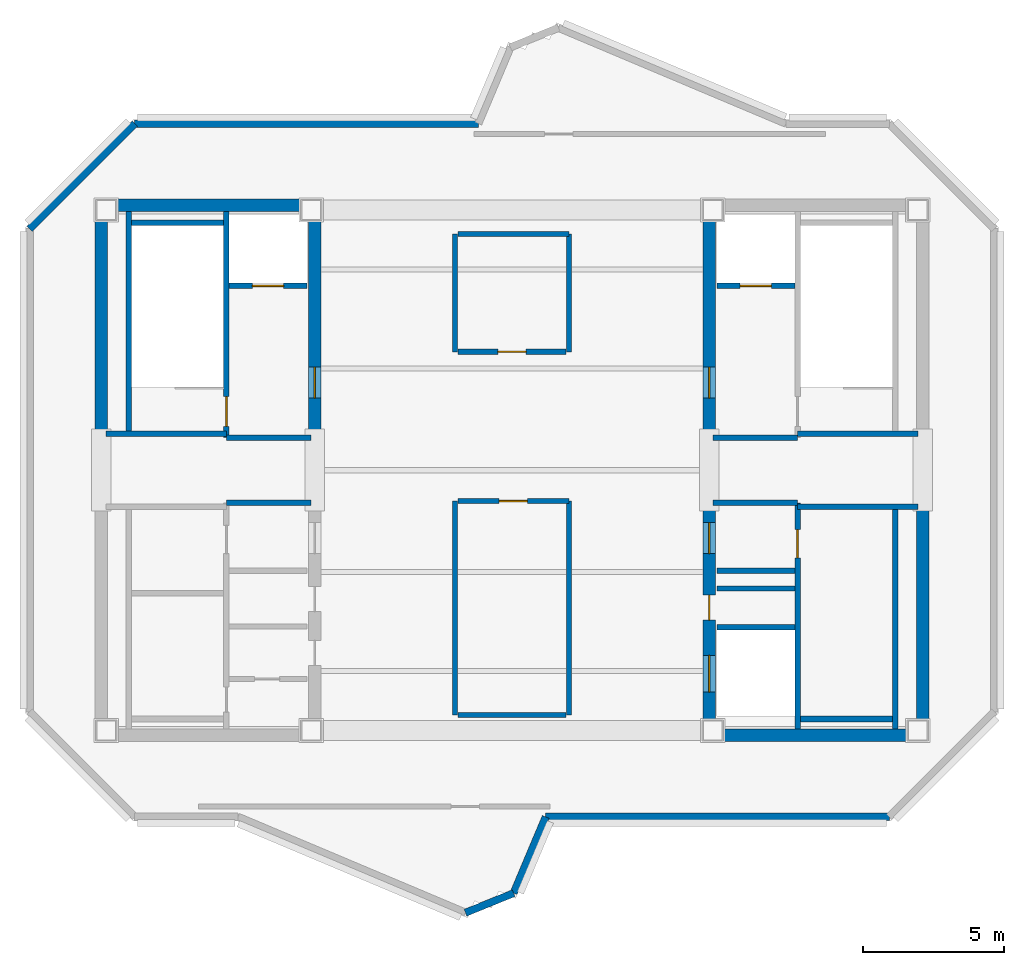
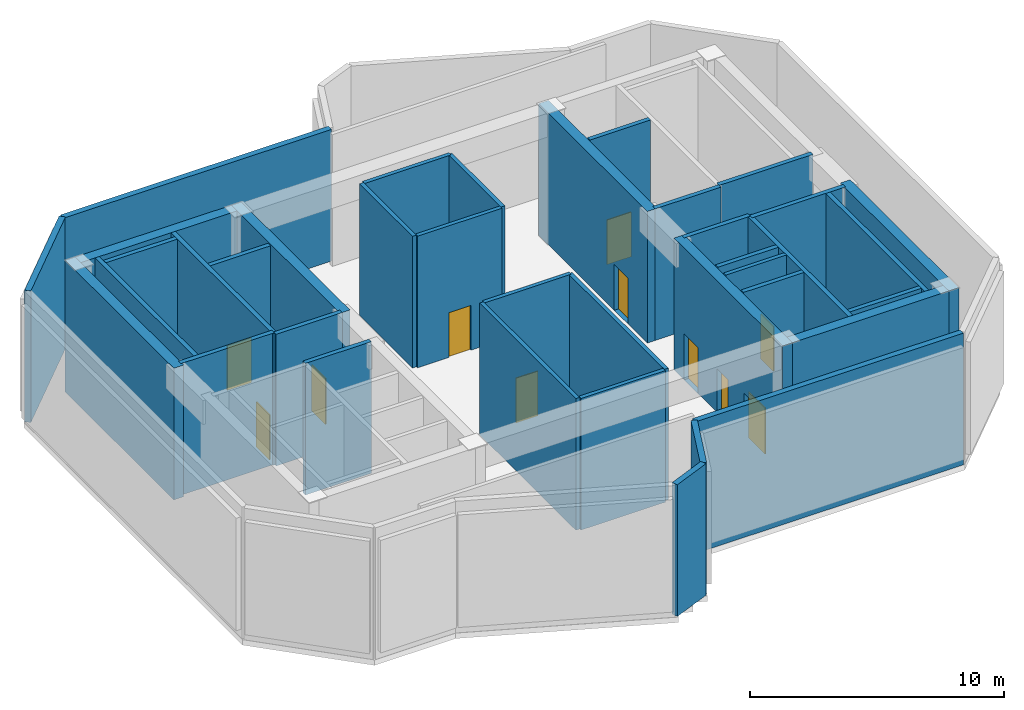
# One storey, part 2 of 4: 38 walls, 11 doors, 11 openings.
"""IFC4 building model written with IfcOpenShell, lengths in metres."""

from ifc_helpers import new_model, si_unit, direction, frame, frame_2d, origin, place, context, subcontext, project, spatial, rectangle, extrude, source, transform, mapped, material, layer, layer_set, type_object, element, fill, save


model = new_model("IFC4")

# Units and contexts
model_context = context("Model", 3, precision=1e-05, world=origin(), true_north=direction((0.0, 1.0)))
body_context = subcontext(model_context, "Body", "Model", "MODEL_VIEW")
ifc_project = project(units=[si_unit("LENGTHUNIT", "METRE"), si_unit("AREAUNIT", "SQUARE_METRE"), si_unit("VOLUMEUNIT", "CUBIC_METRE"), si_unit("PLANEANGLEUNIT", "RADIAN"), si_unit("MASSUNIT", "GRAM", prefix="KILO")], contexts=[model_context])

# Site, building, storey
site_placement = place(None, origin())
site = spatial("IfcSite", under=ifc_project, at=site_placement, CompositionType="ELEMENT")
building_placement = place(site_placement, origin())
building = spatial("IfcBuilding", under=site, at=building_placement, Name="Zahravan Cultural Tower", CompositionType="ELEMENT")
storey_placement = place(building_placement, frame((0.0, 0.0, 388.050048828125)))
storey = spatial("IfcBuildingStorey", under=building, at=storey_placement, Name="RF", CompositionType="ELEMENT", Elevation=388.050048828125)

# Wall, opening, door
ifc_material_1 = material(Name="Concrete C50/60", Category="concrete")
ifc_layer_1 = layer(ifc_material_1, 0.449951171875)
ifc_layer_set_1 = layer_set([ifc_layer_1], Name="Concrete C50/60")
wall_type_1 = type_object("IfcWallType", Name="CW-SHEAR-450-C50", PredefinedType="SHEAR", material=ifc_layer_set_1)
wall_1_placement = place(storey_placement, frame((29.02490234375, 28.050048828125, 0.0), z_axis=(0.0, 0.0, 1.0), x_axis=(0.0, 1.0, 0.0)))
wall_1 = element("IfcWall", 1, at=wall_1_placement, inside=storey, type_object=wall_type_1, Name="RF Core Shear Wall CW-W-EN-RF", PredefinedType="SHEAR", context=body_context, shape_type="SweptSolid", body=[
    extrude(rectangle(XDim=8.550048828125, YDim=0.449951171875, at=frame_2d((4.27490234375, 0.0))), origin(), (0.0, 0.0, 1.0), 6.320068359375),
])
opening_1_placement = place(wall_1_placement, frame((1.5, 0.0, 0.0)))
opening_1 = element("IfcOpeningElement", 2, at=opening_1_placement, cuts=wall_1, Name="Opening D-RF-06", PredefinedType="OPENING", context=body_context, shape_type="SweptSolid", body=[
    extrude(rectangle(XDim=1.10009765625, YDim=2.199951171875, at=frame_2d((0.550048828125, 1.10009765625))), frame((0.0, 0.23486328125, 0.0), z_axis=(0.0, -1.0, 0.0), x_axis=(1.0, 0.0, 0.0)), (0.0, 0.0, 1.0), 0.469970703125),
])
ifc_material_2 = material(Name="Steel ASTM A572 Grade 50", Category="steel")
door_type_1 = type_object("IfcDoorType", Name="DR-LOBBY-1100", OperationType="NOTDEFINED", PredefinedType="DOOR", material=ifc_material_2)
shared_shape_1 = source(origin(), body_context, "Body", "SweptSolid", [
    extrude(rectangle(XDim=1.10009765625, YDim=2.199951171875, at=frame_2d((0.550048828125, 1.10009765625))), frame((0.0, 0.02490234375, 0.0), z_axis=(0.0, -1.0, 0.0), x_axis=(1.0, 0.0, 0.0)), (0.0, 0.0, 1.0), 0.050048828125),
])
door_1_placement = place(opening_1_placement, origin())
door_1 = element("IfcDoor", 3, at=door_1_placement, inside=storey, type_object=door_type_1, Name="RF Door D-RF-06", OperationType="SINGLE_SWING_RIGHT", OverallHeight=2.199951171875, OverallWidth=1.10009765625, PredefinedType="DOOR", context=body_context, shape_type="MappedRepresentation", body=[
    mapped(shared_shape_1, transform((0.0, 0.0, 0.0), x_axis=(1.0, 0.0, 0.0), y_axis=(0.0, 1.0, 0.0), z_axis=(0.0, 0.0, 1.0), scale=1.0)),
])
fill(opening_1, door_1)

# Wall, openings, doors
wall_2_placement = place(storey_placement, frame((42.97509765625, 17.39990234375, 0.0), z_axis=(0.0, 0.0, 1.0), x_axis=(0.0, 1.0, 0.0)))
wall_2 = element("IfcWall", 4, at=wall_2_placement, inside=storey, type_object=wall_type_1, Name="RF Core Shear Wall CW-E-WS-RF", PredefinedType="SHEAR", context=body_context, shape_type="SweptSolid", body=[
    extrude(rectangle(XDim=8.550048828125, YDim=0.449951171875, at=frame_2d((4.27490234375, 0.0))), origin(), (0.0, 0.0, 1.0), 6.320068359375),
])
opening_2_placement = place(wall_2_placement, frame((6.64990234375, 0.0, 0.0)))
opening_2 = element("IfcOpeningElement", 5, at=opening_2_placement, cuts=wall_2, Name="Opening D-RF-09", PredefinedType="OPENING", context=body_context, shape_type="SweptSolid", body=[
    extrude(rectangle(XDim=1.10009765625, YDim=2.199951171875, at=frame_2d((0.550048828125, 1.10009765625))), frame((0.0, 0.23486328125, 0.0), z_axis=(0.0, -1.0, 0.0), x_axis=(1.0, 0.0, 0.0)), (0.0, 0.0, 1.0), 0.469970703125),
])
opening_3_placement = place(wall_2_placement, frame((1.75, 0.0, 0.0)))
opening_3 = element("IfcOpeningElement", 6, at=opening_3_placement, cuts=wall_2, Name="Opening LD-RF-03", PredefinedType="OPENING", context=body_context, shape_type="SweptSolid", body=[
    extrude(rectangle(XDim=1.300048828125, YDim=2.199951171875, at=frame_2d((0.64990234375, 1.10009765625))), frame((0.0, 0.23486328125, 0.0), z_axis=(0.0, -1.0, 0.0), x_axis=(1.0, 0.0, 0.0)), (0.0, 0.0, 1.0), 0.469970703125),
])
opening_4_placement = place(wall_2_placement, frame((4.300048828125, 0.0, 0.0)))
opening_4 = element("IfcOpeningElement", 7, at=opening_4_placement, cuts=wall_2, Name="Opening D-RF-13", PredefinedType="OPENING", context=body_context, shape_type="SweptSolid", body=[
    extrude(rectangle(XDim=0.8798828125, YDim=2.10009765625, at=frame_2d((0.43994140625, 1.050048828125))), frame((0.0, 0.23486328125, 0.0), z_axis=(0.0, -1.0, 0.0), x_axis=(1.0, 0.0, 0.0)), (0.0, 0.0, 1.0), 0.469970703125),
])
door_2_placement = place(opening_2_placement, origin())
door_2 = element("IfcDoor", 8, at=door_2_placement, inside=storey, type_object=door_type_1, Name="RF Door D-RF-09", OperationType="SINGLE_SWING_LEFT", OverallHeight=2.199951171875, OverallWidth=1.10009765625, PredefinedType="DOOR", context=body_context, shape_type="MappedRepresentation", body=[
    mapped(shared_shape_1, transform((0.0, 0.0, 0.0), x_axis=(1.0, 0.0, 0.0), y_axis=(0.0, 1.0, 0.0), z_axis=(0.0, 0.0, 1.0), scale=1.0)),
])
fill(opening_2, door_2)
door_type_2 = type_object("IfcDoorType", Name="DR-LIFT-1300", OperationType="DOUBLE_DOOR_SLIDING", PredefinedType="DOOR", material=ifc_material_2)
shared_shape_2 = source(origin(), body_context, "Body", "SweptSolid", [
    extrude(rectangle(XDim=1.300048828125, YDim=2.199951171875, at=frame_2d((0.64990234375, 1.10009765625))), frame((0.0, 0.02490234375, 0.0), z_axis=(0.0, -1.0, 0.0), x_axis=(1.0, 0.0, 0.0)), (0.0, 0.0, 1.0), 0.050048828125),
])
door_3_placement = place(opening_3_placement, origin())
door_3 = element("IfcDoor", 9, at=door_3_placement, inside=storey, type_object=door_type_2, Name="RF Door LD-RF-03", OperationType="DOUBLE_DOOR_SLIDING", OverallHeight=2.199951171875, OverallWidth=1.300048828125, PredefinedType="DOOR", context=body_context, shape_type="MappedRepresentation", body=[
    mapped(shared_shape_2, transform((0.0, 0.0, 0.0), x_axis=(1.0, 0.0, 0.0), y_axis=(0.0, 1.0, 0.0), z_axis=(0.0, 0.0, 1.0), scale=1.0)),
])
fill(opening_3, door_3)
door_type_3 = type_object("IfcDoorType", Name="DR-SVC-880", OperationType="NOTDEFINED", PredefinedType="DOOR", material=ifc_material_2)
shared_shape_3 = source(origin(), body_context, "Body", "SweptSolid", [
    extrude(rectangle(XDim=0.8798828125, YDim=2.10009765625, at=frame_2d((0.43994140625, 1.050048828125))), frame((0.0, 0.02490234375, 0.0), z_axis=(0.0, -1.0, 0.0), x_axis=(1.0, 0.0, 0.0)), (0.0, 0.0, 1.0), 0.050048828125),
])
door_4_placement = place(opening_4_placement, origin())
door_4 = element("IfcDoor", 10, at=door_4_placement, inside=storey, type_object=door_type_3, Name="RF Door D-RF-13", OperationType="SINGLE_SWING_LEFT", OverallHeight=2.10009765625, OverallWidth=0.8798828125, PredefinedType="DOOR", context=body_context, shape_type="MappedRepresentation", body=[
    mapped(shared_shape_3, transform((0.0, 0.0, 0.0), x_axis=(1.0, 0.0, 0.0), y_axis=(0.0, 1.0, 0.0), z_axis=(0.0, 0.0, 1.0), scale=1.0)),
])
fill(opening_4, door_4)

# Wall, opening, door
wall_3_placement = place(storey_placement, frame((42.97509765625, 28.050048828125, 0.0), z_axis=(0.0, 0.0, 1.0), x_axis=(0.0, 1.0, 0.0)))
wall_3 = element("IfcWall", 11, at=wall_3_placement, inside=storey, type_object=wall_type_1, Name="RF Core Shear Wall CW-E-WN-RF", PredefinedType="SHEAR", context=body_context, shape_type="SweptSolid", body=[
    extrude(rectangle(XDim=8.550048828125, YDim=0.449951171875, at=frame_2d((4.27490234375, 0.0))), origin(), (0.0, 0.0, 1.0), 6.320068359375),
])
opening_5_placement = place(wall_3_placement, frame((1.5, 0.0, 0.0)))
opening_5 = element("IfcOpeningElement", 12, at=opening_5_placement, cuts=wall_3, Name="Opening D-RF-07", PredefinedType="OPENING", context=body_context, shape_type="SweptSolid", body=[
    extrude(rectangle(XDim=1.10009765625, YDim=2.199951171875, at=frame_2d((0.550048828125, 1.10009765625))), frame((0.0, 0.23486328125, 0.0), z_axis=(0.0, -1.0, 0.0), x_axis=(1.0, 0.0, 0.0)), (0.0, 0.0, 1.0), 0.469970703125),
])
door_5_placement = place(opening_5_placement, origin())
door_5 = element("IfcDoor", 13, at=door_5_placement, inside=storey, type_object=door_type_1, Name="RF Door D-RF-07", OperationType="SINGLE_SWING_LEFT", OverallHeight=2.199951171875, OverallWidth=1.10009765625, PredefinedType="DOOR", context=body_context, shape_type="MappedRepresentation", body=[
    mapped(shared_shape_1, transform((0.0, 0.0, 0.0), x_axis=(1.0, 0.0, 0.0), y_axis=(0.0, 1.0, 0.0), z_axis=(0.0, 0.0, 1.0), scale=1.0)),
])
fill(opening_5, door_5)

ifc_material_3 = material(Name="Gypsum plasterboard partition")
ifc_layer_2 = layer(ifc_material_3, 0.179931640625)
ifc_layer_set_2 = layer_set([ifc_layer_2], Name="Gypsum plasterboard partition")
wall_type_2 = type_object("IfcWallType", Name="W-COMP-180", PredefinedType="PARTITIONING", material=ifc_layer_set_2)
wall_4_placement = place(storey_placement, frame((37.9150390625, 31.18994140625, 0.0), z_axis=(0.0, 0.0, 1.0), x_axis=(-1.0, 0.0, 0.0)))
wall_4 = element("IfcWall", 14, at=wall_4_placement, inside=storey, type_object=wall_type_2, Name="RF Interior Wall 033", PredefinedType="PARTITIONING", context=body_context, shape_type="SweptSolid", body=[
    extrude(rectangle(XDim=3.830078125, YDim=0.179931640625, at=frame_2d((1.9150390625, 0.0))), origin(), (0.0, 0.0, 1.0), 6.320068359375),
])
opening_6_placement = place(wall_4_placement, frame((1.4150390625, 0.0, 0.0)))
opening_6 = element("IfcOpeningElement", 15, at=opening_6_placement, cuts=wall_4, Name="Opening D-RF-14", PredefinedType="OPENING", context=body_context, shape_type="SweptSolid", body=[
    extrude(rectangle(XDim=1.0, YDim=2.14990234375, at=frame_2d((0.5, 1.074951171875))), frame((0.0, 0.099853515625, 0.0), z_axis=(0.0, -1.0, 0.0), x_axis=(1.0, 0.0, 0.0)), (0.0, 0.0, 1.0), 0.199951171875),
])
door_type_4 = type_object("IfcDoorType", Name="DR-COMP-1000", OperationType="NOTDEFINED", PredefinedType="DOOR", material=ifc_material_2)
shared_shape_4 = source(origin(), body_context, "Body", "SweptSolid", [
    extrude(rectangle(XDim=1.0, YDim=2.14990234375, at=frame_2d((0.5, 1.074951171875))), frame((0.0, 0.02490234375, 0.0), z_axis=(0.0, -1.0, 0.0), x_axis=(1.0, 0.0, 0.0)), (0.0, 0.0, 1.0), 0.050048828125),
])
door_6_placement = place(opening_6_placement, origin())
door_6 = element("IfcDoor", 16, at=door_6_placement, inside=storey, type_object=door_type_4, Name="RF Door D-RF-14", OperationType="SINGLE_SWING_RIGHT", OverallHeight=2.14990234375, OverallWidth=1.0, PredefinedType="DOOR", context=body_context, shape_type="MappedRepresentation", body=[
    mapped(shared_shape_4, transform((0.0, 0.0, 0.0), x_axis=(1.0, 0.0, 0.0), y_axis=(0.0, 1.0, 0.0), z_axis=(0.0, 0.0, 1.0), scale=1.0)),
])
fill(opening_6, door_6)

wall_5_placement = place(storey_placement, frame((34.0849609375, 25.909912109375, 0.0), z_axis=(0.0, 0.0, 1.0), x_axis=(1.0, 0.0, 0.0)))
wall_5 = element("IfcWall", 17, at=wall_5_placement, inside=storey, type_object=wall_type_2, Name="RF Interior Wall 037", PredefinedType="PARTITIONING", context=body_context, shape_type="SweptSolid", body=[
    extrude(rectangle(XDim=3.925048828125, YDim=0.179931640625, at=frame_2d((1.96240234375, 0.0))), origin(), (0.0, 0.0, 1.0), 6.320068359375),
])
opening_7_placement = place(wall_5_placement, frame((1.46240234375, 0.0, 0.0)))
opening_7 = element("IfcOpeningElement", 18, at=opening_7_placement, cuts=wall_5, Name="Opening D-RF-15", PredefinedType="OPENING", context=body_context, shape_type="SweptSolid", body=[
    extrude(rectangle(XDim=1.0, YDim=2.14990234375, at=frame_2d((0.5, 1.074951171875))), frame((0.0, 0.099853515625, 0.0), z_axis=(0.0, -1.0, 0.0), x_axis=(1.0, 0.0, 0.0)), (0.0, 0.0, 1.0), 0.199951171875),
])
door_7_placement = place(opening_7_placement, origin())
door_7 = element("IfcDoor", 19, at=door_7_placement, inside=storey, type_object=door_type_4, Name="RF Door D-RF-15", OperationType="SINGLE_SWING_LEFT", OverallHeight=2.14990234375, OverallWidth=1.0, PredefinedType="DOOR", context=body_context, shape_type="MappedRepresentation", body=[
    mapped(shared_shape_4, transform((0.0, 0.0, 0.0), x_axis=(1.0, 0.0, 0.0), y_axis=(0.0, 1.0, 0.0), z_axis=(0.0, 0.0, 1.0), scale=1.0)),
])
fill(opening_7, door_7)

ifc_material_4 = material(Name="Concrete C45/55", Category="concrete")
ifc_layer_3 = layer(ifc_material_4, 0.199951171875)
ifc_layer_set_3 = layer_set([ifc_layer_3], Name="Concrete C45/55")
wall_type_3 = type_object("IfcWallType", Name="W-SHAFT-200", PredefinedType="SOLIDWALL", material=ifc_layer_set_3)
wall_6_placement = place(storey_placement, frame((25.89990234375, 28.14990234375, 0.0), z_axis=(0.0, 0.0, 1.0), x_axis=(0.0, 1.0, 0.0)))
wall_6 = element("IfcWall", 20, at=wall_6_placement, inside=storey, type_object=wall_type_3, Name="RF Interior Wall 006", PredefinedType="SOLIDWALL", context=body_context, shape_type="SweptSolid", body=[
    extrude(rectangle(XDim=8.0, YDim=0.199951171875, at=frame_2d((4.0, 0.0))), origin(), (0.0, 0.0, 1.0), 6.320068359375),
])
opening_8_placement = place(wall_6_placement, frame((0.39990234375, 0.0, 0.0)))
opening_8 = element("IfcOpeningElement", 21, at=opening_8_placement, cuts=wall_6, Name="Opening D-RF-01", PredefinedType="OPENING", context=body_context, shape_type="SweptSolid", body=[
    extrude(rectangle(XDim=1.050048828125, YDim=2.14990234375, at=frame_2d((0.52490234375, 1.074951171875))), frame((0.0, 0.10986328125, 0.0), z_axis=(0.0, -1.0, 0.0), x_axis=(1.0, 0.0, 0.0)), (0.0, 0.0, 1.0), 0.219970703125),
])
door_type_5 = type_object("IfcDoorType", Name="DR-STAIR-1050", OperationType="NOTDEFINED", PredefinedType="DOOR", material=ifc_material_2)
shared_shape_5 = source(origin(), body_context, "Body", "SweptSolid", [
    extrude(rectangle(XDim=1.050048828125, YDim=2.14990234375, at=frame_2d((0.52490234375, 1.074951171875))), frame((0.0, 0.02490234375, 0.0), z_axis=(0.0, -1.0, 0.0), x_axis=(1.0, 0.0, 0.0)), (0.0, 0.0, 1.0), 0.050048828125),
])
door_8_placement = place(opening_8_placement, origin())
door_8 = element("IfcDoor", 22, at=door_8_placement, inside=storey, type_object=door_type_5, Name="RF Door D-RF-01", OperationType="SINGLE_SWING_LEFT", OverallHeight=2.14990234375, OverallWidth=1.050048828125, PredefinedType="DOOR", context=body_context, shape_type="MappedRepresentation", body=[
    mapped(shared_shape_5, transform((0.0, 0.0, 0.0), x_axis=(1.0, 0.0, 0.0), y_axis=(0.0, 1.0, 0.0), z_axis=(0.0, 0.0, 1.0), scale=1.0)),
])
fill(opening_8, door_8)

wall_7_placement = place(storey_placement, frame((46.10009765625, 17.85009765625, 0.0), z_axis=(0.0, 0.0, 1.0), x_axis=(0.0, 1.0, 0.0)))
wall_7 = element("IfcWall", 23, at=wall_7_placement, inside=storey, type_object=wall_type_3, Name="RF Interior Wall 007", PredefinedType="SOLIDWALL", context=body_context, shape_type="SweptSolid", body=[
    extrude(rectangle(XDim=8.0, YDim=0.199951171875, at=frame_2d((4.0, 0.0))), origin(), (0.0, 0.0, 1.0), 6.320068359375),
])
opening_9_placement = place(wall_7_placement, frame((6.050048828125, 0.0, 0.0)))
opening_9 = element("IfcOpeningElement", 24, at=opening_9_placement, cuts=wall_7, Name="Opening D-RF-03", PredefinedType="OPENING", context=body_context, shape_type="SweptSolid", body=[
    extrude(rectangle(XDim=1.0, YDim=2.14990234375, at=frame_2d((0.5, 1.074951171875))), frame((0.0, 0.10986328125, 0.0), z_axis=(0.0, -1.0, 0.0), x_axis=(1.0, 0.0, 0.0)), (0.0, 0.0, 1.0), 0.219970703125),
])
door_9_placement = place(opening_9_placement, origin())
door_9 = element("IfcDoor", 25, at=door_9_placement, inside=storey, type_object=door_type_4, Name="RF Door D-RF-03", OperationType="SINGLE_SWING_LEFT", OverallHeight=2.14990234375, OverallWidth=1.0, PredefinedType="DOOR", context=body_context, shape_type="MappedRepresentation", body=[
    mapped(shared_shape_4, transform((0.0, 0.0, 0.0), x_axis=(1.0, 0.0, 0.0), y_axis=(0.0, 1.0, 0.0), z_axis=(0.0, 0.0, 1.0), scale=1.0)),
])
fill(opening_9, door_9)

wall_8_placement = place(storey_placement, frame((26.0, 33.52001953125, 0.0), z_axis=(0.0, 0.0, 1.0), x_axis=(1.0, 0.0, 0.0)))
wall_8 = element("IfcWall", 26, at=wall_8_placement, inside=storey, type_object=wall_type_3, Name="RF Interior Wall 022", PredefinedType="SOLIDWALL", context=body_context, shape_type="SweptSolid", body=[
    extrude(rectangle(XDim=2.75, YDim=0.199951171875, at=frame_2d((1.375, 0.0))), origin(), (0.0, 0.0, 1.0), 6.320068359375),
])
opening_10_placement = place(wall_8_placement, frame((0.820068359375, 0.0, 0.0)))
opening_10 = element("IfcOpeningElement", 27, at=opening_10_placement, cuts=wall_8, Name="Opening LD-RF-01", PredefinedType="OPENING", context=body_context, shape_type="SweptSolid", body=[
    extrude(rectangle(XDim=1.10009765625, YDim=2.14990234375, at=frame_2d((0.550048828125, 1.074951171875))), frame((0.0, 0.10986328125, 0.0), z_axis=(0.0, -1.0, 0.0), x_axis=(1.0, 0.0, 0.0)), (0.0, 0.0, 1.0), 0.219970703125),
])
door_type_6 = type_object("IfcDoorType", Name="DR-LIFT-1100", OperationType="DOUBLE_DOOR_SLIDING", PredefinedType="DOOR", material=ifc_material_2)
shared_shape_6 = source(origin(), body_context, "Body", "SweptSolid", [
    extrude(rectangle(XDim=1.10009765625, YDim=2.14990234375, at=frame_2d((0.550048828125, 1.074951171875))), frame((0.0, 0.02490234375, 0.0), z_axis=(0.0, -1.0, 0.0), x_axis=(1.0, 0.0, 0.0)), (0.0, 0.0, 1.0), 0.050048828125),
])
door_10_placement = place(opening_10_placement, origin())
door_10 = element("IfcDoor", 28, at=door_10_placement, inside=storey, type_object=door_type_6, Name="RF Door LD-RF-01", OperationType="DOUBLE_DOOR_SLIDING", OverallHeight=2.14990234375, OverallWidth=1.10009765625, PredefinedType="DOOR", context=body_context, shape_type="MappedRepresentation", body=[
    mapped(shared_shape_6, transform((0.0, 0.0, 0.0), x_axis=(1.0, 0.0, 0.0), y_axis=(0.0, 1.0, 0.0), z_axis=(0.0, 0.0, 1.0), scale=1.0)),
])
fill(opening_10, door_10)

wall_9_placement = place(storey_placement, frame((43.25, 33.52001953125, 0.0), z_axis=(0.0, 0.0, 1.0), x_axis=(1.0, 0.0, 0.0)))
wall_9 = element("IfcWall", 29, at=wall_9_placement, inside=storey, type_object=wall_type_3, Name="RF Interior Wall 023", PredefinedType="SOLIDWALL", context=body_context, shape_type="SweptSolid", body=[
    extrude(rectangle(XDim=2.75, YDim=0.199951171875, at=frame_2d((1.375, 0.0))), origin(), (0.0, 0.0, 1.0), 6.320068359375),
])
opening_11_placement = place(wall_9_placement, frame((0.820068359375, 0.0, 0.0)))
opening_11 = element("IfcOpeningElement", 30, at=opening_11_placement, cuts=wall_9, Name="Opening LD-RF-02", PredefinedType="OPENING", context=body_context, shape_type="SweptSolid", body=[
    extrude(rectangle(XDim=1.10009765625, YDim=2.14990234375, at=frame_2d((0.550048828125, 1.074951171875))), frame((0.0, 0.10986328125, 0.0), z_axis=(0.0, -1.0, 0.0), x_axis=(1.0, 0.0, 0.0)), (0.0, 0.0, 1.0), 0.219970703125),
])
door_11_placement = place(opening_11_placement, origin())
door_11 = element("IfcDoor", 31, at=door_11_placement, inside=storey, type_object=door_type_6, Name="RF Door LD-RF-02", OperationType="DOUBLE_DOOR_SLIDING", OverallHeight=2.14990234375, OverallWidth=1.10009765625, PredefinedType="DOOR", context=body_context, shape_type="MappedRepresentation", body=[
    mapped(shared_shape_6, transform((0.0, 0.0, 0.0), x_axis=(1.0, 0.0, 0.0), y_axis=(0.0, 1.0, 0.0), z_axis=(0.0, 0.0, 1.0), scale=1.0)),
])
fill(opening_11, door_11)

# Walls
shared_shape_7 = source(origin(), body_context, "Body", "SweptSolid", [
    extrude(rectangle(XDim=8.550048828125, YDim=0.449951171875, at=frame_2d((4.27490234375, 0.0))), origin(), (0.0, 0.0, 1.0), 6.320068359375),
])
for number, where, z_axis, x_axis, name in (
    (32, (21.47509765625, 28.050048828125, 0.0), (0.0, 0.0, 1.0), (0.0, 1.0, 0.0), "RF Core Shear Wall CW-W-WN-RF"),
    (33, (50.52490234375, 17.39990234375, 0.0), (0.0, 0.0, 1.0), (0.0, 1.0, 0.0), "RF Core Shear Wall CW-E-ES-RF"),
):
    element("IfcWall", number, at=place(storey_placement, frame(where, z_axis=z_axis, x_axis=x_axis)), inside=storey, type_object=wall_type_1, Name=name, PredefinedType="SHEAR", context=body_context, shape_type="MappedRepresentation", body=[
        mapped(shared_shape_7, transform((0.0, 0.0, 0.0), x_axis=(1.0, 0.0, 0.0), y_axis=(0.0, 1.0, 0.0), z_axis=(0.0, 0.0, 1.0), scale=1.0)),
    ])
shared_shape_8 = source(origin(), body_context, "Body", "SweptSolid", [
    extrude(rectangle(XDim=7.10009765625, YDim=0.449951171875, at=frame_2d((3.550048828125, 0.0))), origin(), (0.0, 0.0, 1.0), 6.320068359375),
])
for number, where, z_axis, x_axis, name in (
    (34, (21.699951171875, 36.375, 0.0), (0.0, 0.0, 1.0), (1.0, 0.0, 0.0), "RF Core Shear Wall CW-W-N-RF"),
    (35, (43.199951171875, 17.625, 0.0), (0.0, 0.0, 1.0), (1.0, 0.0, 0.0), "RF Core Shear Wall CW-E-S-RF"),
):
    element("IfcWall", number, at=place(storey_placement, frame(where, z_axis=z_axis, x_axis=x_axis)), inside=storey, type_object=wall_type_1, Name=name, PredefinedType="SHEAR", context=body_context, shape_type="MappedRepresentation", body=[
        mapped(shared_shape_8, transform((0.0, 0.0, 0.0), x_axis=(1.0, 0.0, 0.0), y_axis=(0.0, 1.0, 0.0), z_axis=(0.0, 0.0, 1.0), scale=1.0)),
    ])
ifc_material_5 = material(Name="Precast concrete C40/50", Category="concrete")
ifc_layer_4 = layer(ifc_material_5, 0.260009765625)
ifc_layer_set_4 = layer_set([ifc_layer_4], Name="Precast concrete C40/50")
wall_type_4 = type_object("IfcWallType", Name="EW-CROWN-260", PredefinedType="SOLIDWALL", material=ifc_layer_set_4)
shared_shape_9 = source(origin(), body_context, "Body", "SweptSolid", [
    extrude(rectangle(XDim=2.92529296875, YDim=0.260009765625, at=frame_2d((1.462646484375, 0.0))), origin(), (0.0, 0.0, 1.0), 6.320068359375),
])
wall_10_placement = place(storey_placement, frame((37.19287109375, 14.739990234375, 0.0), z_axis=(0.0, 0.0, 1.0), x_axis=(-0.388321883953, -0.921523800259, 0.0)))
element("IfcWall", 36, at=wall_10_placement, inside=storey, type_object=wall_type_4, Name="RF Crown Enclosure Wall 09", PredefinedType="SOLIDWALL", context=body_context, shape_type="MappedRepresentation", body=[
    mapped(shared_shape_9, transform((0.0, 0.0, 0.0), x_axis=(1.0, 0.0, 0.0), y_axis=(0.0, 1.0, 0.0), z_axis=(0.0, 0.0, 1.0), scale=1.0)),
])
shared_shape_10 = source(origin(), body_context, "Body", "SweptSolid", [
    extrude(rectangle(XDim=1.838623046875, YDim=0.260009765625, at=frame_2d((0.91943359375, 0.0))), origin(), (0.0, 0.0, 1.0), 6.320068359375),
])
wall_11_placement = place(storey_placement, frame((36.056884765625, 12.044189453125, 0.0), z_axis=(0.0, 0.0, 1.0), x_axis=(-0.926216039781, -0.376993166586, 0.0)))
element("IfcWall", 37, at=wall_11_placement, inside=storey, type_object=wall_type_4, Name="RF Crown Enclosure Wall 10", PredefinedType="SOLIDWALL", context=body_context, shape_type="MappedRepresentation", body=[
    mapped(shared_shape_10, transform((0.0, 0.0, 0.0), x_axis=(1.0, 0.0, 0.0), y_axis=(0.0, 1.0, 0.0), z_axis=(0.0, 0.0, 1.0), scale=1.0)),
])
shared_shape_11 = source(origin(), body_context, "Body", "SweptSolid", [
    extrude(rectangle(XDim=5.258056640625, YDim=0.260009765625, at=frame_2d((2.62890625, 0.0))), origin(), (0.0, 0.0, 1.0), 6.320068359375),
])
wall_12_placement = place(storey_placement, frame((18.93994140625, 35.5419921875, 0.0), z_axis=(0.0, 0.0, 1.0), x_axis=(0.707106781187, 0.707106781187, 0.0)))
element("IfcWall", 38, at=wall_12_placement, inside=storey, type_object=wall_type_4, Name="RF Crown Enclosure Wall 15", PredefinedType="SOLIDWALL", context=body_context, shape_type="MappedRepresentation", body=[
    mapped(shared_shape_11, transform((0.0, 0.0, 0.0), x_axis=(1.0, 0.0, 0.0), y_axis=(0.0, 1.0, 0.0), z_axis=(0.0, 0.0, 1.0), scale=1.0)),
])
shared_shape_12 = source(origin(), body_context, "Body", "SweptSolid", [
    extrude(rectangle(XDim=12.149169921875, YDim=0.260009765625, at=frame_2d((6.07470703125, 0.0))), origin(), (0.0, 0.0, 1.0), 6.320068359375),
])
for number, where, z_axis, x_axis, name in (
    (39, (49.342041015625, 14.739990234375, 0.0), (0.0, 0.0, 1.0), (-1.0, 0.0, 0.0), "RF Crown Enclosure Wall 08"),
    (40, (22.657958984375, 39.260009765625, 0.0), (0.0, 0.0, 1.0), (1.0, 0.0, 0.0), "RF Crown Enclosure Wall 16"),
):
    element("IfcWall", number, at=place(storey_placement, frame(where, z_axis=z_axis, x_axis=x_axis)), inside=storey, type_object=wall_type_4, Name=name, PredefinedType="SOLIDWALL", context=body_context, shape_type="MappedRepresentation", body=[
        mapped(shared_shape_12, transform((0.0, 0.0, 0.0), x_axis=(1.0, 0.0, 0.0), y_axis=(0.0, 1.0, 0.0), z_axis=(0.0, 0.0, 1.0), scale=1.0)),
    ])
shared_shape_13 = source(origin(), body_context, "Body", "SweptSolid", [
    extrude(rectangle(XDim=7.869873046875, YDim=0.199951171875, at=frame_2d((3.93505859375, 0.0))), origin(), (0.0, 0.0, 1.0), 6.320068359375),
])
for number, where, z_axis, x_axis, name in (
    (41, (22.449951171875, 28.280029296875, 0.0), (0.0, 0.0, 1.0), (0.0, 1.0, 0.0), "RF Interior Wall 002"),
    (42, (49.550048828125, 17.85009765625, 0.0), (0.0, 0.0, 1.0), (0.0, 1.0, 0.0), "RF Interior Wall 003"),
):
    element("IfcWall", number, at=place(storey_placement, frame(where, z_axis=z_axis, x_axis=x_axis)), inside=storey, type_object=wall_type_3, Name=name, PredefinedType="SOLIDWALL", context=body_context, shape_type="MappedRepresentation", body=[
        mapped(shared_shape_13, transform((0.0, 0.0, 0.0), x_axis=(1.0, 0.0, 0.0), y_axis=(0.0, 1.0, 0.0), z_axis=(0.0, 0.0, 1.0), scale=1.0)),
    ])
shared_shape_14 = source(origin(), body_context, "Body", "SweptSolid", [
    extrude(rectangle(XDim=4.25, YDim=0.199951171875, at=frame_2d((2.125, 0.0))), origin(), (0.0, 0.0, 1.0), 6.320068359375),
])
for number, where, z_axis, x_axis, name in (
    (43, (21.64990234375, 28.284912109375, 0.0), (0.0, 0.0, 1.0), (1.0, 0.0, 0.0), "RF Interior Wall 011"),
    (44, (46.10009765625, 25.715087890625, 0.0), (0.0, 0.0, 1.0), (1.0, 0.0, 0.0), "RF Interior Wall 014"),
    (45, (46.10009765625, 28.284912109375, 0.0), (0.0, 0.0, 1.0), (1.0, 0.0, 0.0), "RF Interior Wall 016"),
):
    element("IfcWall", number, at=place(storey_placement, frame(where, z_axis=z_axis, x_axis=x_axis)), inside=storey, type_object=wall_type_3, Name=name, PredefinedType="SOLIDWALL", context=body_context, shape_type="MappedRepresentation", body=[
        mapped(shared_shape_14, transform((0.0, 0.0, 0.0), x_axis=(1.0, 0.0, 0.0), y_axis=(0.0, 1.0, 0.0), z_axis=(0.0, 0.0, 1.0), scale=1.0)),
    ])
shared_shape_15 = source(origin(), body_context, "Body", "SweptSolid", [
    extrude(rectangle(XDim=3.0, YDim=0.199951171875, at=frame_2d((1.5, 0.0))), origin(), (0.0, 0.0, 1.0), 6.320068359375),
])
for number, where, z_axis, x_axis, name in (
    (46, (25.89990234375, 25.85009765625, 0.0), (0.0, 0.0, 1.0), (1.0, 0.0, 0.0), "RF Interior Wall 010"),
    (47, (25.89990234375, 28.14990234375, 0.0), (0.0, 0.0, 1.0), (1.0, 0.0, 0.0), "RF Interior Wall 012"),
    (48, (43.10009765625, 25.85009765625, 0.0), (0.0, 0.0, 1.0), (1.0, 0.0, 0.0), "RF Interior Wall 013"),
    (49, (43.10009765625, 28.14990234375, 0.0), (0.0, 0.0, 1.0), (1.0, 0.0, 0.0), "RF Interior Wall 015"),
):
    element("IfcWall", number, at=place(storey_placement, frame(where, z_axis=z_axis, x_axis=x_axis)), inside=storey, type_object=wall_type_3, Name=name, PredefinedType="SOLIDWALL", context=body_context, shape_type="MappedRepresentation", body=[
        mapped(shared_shape_15, transform((0.0, 0.0, 0.0), x_axis=(1.0, 0.0, 0.0), y_axis=(0.0, 1.0, 0.0), z_axis=(0.0, 0.0, 1.0), scale=1.0)),
    ])
shared_shape_16 = source(origin(), body_context, "Body", "SweptSolid", [
    extrude(rectangle(XDim=3.25, YDim=0.199951171875, at=frame_2d((1.625, 0.0))), origin(), (0.0, 0.0, 1.0), 6.320068359375),
])
for number, where, z_axis, x_axis, name in (
    (50, (22.550048828125, 35.75, 0.0), (0.0, 0.0, 1.0), (1.0, 0.0, 0.0), "RF Interior Wall 017"),
    (51, (46.199951171875, 18.199951171875, 0.0), (0.0, 0.0, 1.0), (1.0, 0.0, 0.0), "RF Interior Wall 020"),
):
    element("IfcWall", number, at=place(storey_placement, frame(where, z_axis=z_axis, x_axis=x_axis)), inside=storey, type_object=wall_type_3, Name=name, PredefinedType="SOLIDWALL", context=body_context, shape_type="MappedRepresentation", body=[
        mapped(shared_shape_16, transform((0.0, 0.0, 0.0), x_axis=(1.0, 0.0, 0.0), y_axis=(0.0, 1.0, 0.0), z_axis=(0.0, 0.0, 1.0), scale=1.0)),
    ])
shared_shape_17 = source(origin(), body_context, "Body", "SweptSolid", [
    extrude(rectangle(XDim=2.75, YDim=0.199951171875, at=frame_2d((1.375, 0.0))), origin(), (0.0, 0.0, 1.0), 6.320068359375),
])
for number, where, z_axis, x_axis, name in (
    (52, (43.25, 23.449951171875, 0.0), (0.0, 0.0, 1.0), (1.0, 0.0, 0.0), "RF Interior Wall 025"),
    (53, (43.25, 21.449951171875, 0.0), (0.0, 0.0, 1.0), (1.0, 0.0, 0.0), "RF Interior Wall 026"),
):
    element("IfcWall", number, at=place(storey_placement, frame(where, z_axis=z_axis, x_axis=x_axis)), inside=storey, type_object=wall_type_3, Name=name, PredefinedType="SOLIDWALL", context=body_context, shape_type="MappedRepresentation", body=[
        mapped(shared_shape_17, transform((0.0, 0.0, 0.0), x_axis=(1.0, 0.0, 0.0), y_axis=(0.0, 1.0, 0.0), z_axis=(0.0, 0.0, 1.0), scale=1.0)),
    ])
shared_shape_18 = source(origin(), body_context, "Body", "SweptSolid", [
    extrude(rectangle(XDim=2.75, YDim=0.179931640625, at=frame_2d((1.375, 0.0))), origin(), (0.0, 0.0, 1.0), 6.320068359375),
])
wall_13_placement = place(storey_placement, frame((43.25, 22.820068359375, 0.0), z_axis=(0.0, 0.0, 1.0), x_axis=(1.0, 0.0, 0.0)))
element("IfcWall", 54, at=wall_13_placement, inside=storey, type_object=wall_type_2, Name="RF Interior Wall 029", PredefinedType="PARTITIONING", context=body_context, shape_type="MappedRepresentation", body=[
    mapped(shared_shape_18, transform((0.0, 0.0, 0.0), x_axis=(1.0, 0.0, 0.0), y_axis=(0.0, 1.0, 0.0), z_axis=(0.0, 0.0, 1.0), scale=1.0)),
])
shared_shape_19 = source(origin(), body_context, "Body", "SweptSolid", [
    extrude(rectangle(XDim=4.170166015625, YDim=0.179931640625, at=frame_2d((2.0849609375, 0.0))), origin(), (0.0, 0.0, 1.0), 6.320068359375),
])
for number, where, z_axis, x_axis, name in (
    (55, (33.989990234375, 31.18994140625, 0.0), (0.0, 0.0, 1.0), (0.0, 1.0, 0.0), "RF Interior Wall 030"),
    (56, (38.010009765625, 35.360107421875, 0.0), (0.0, 0.0, 1.0), (0.0, -1.0, 0.0), "RF Interior Wall 032"),
):
    element("IfcWall", number, at=place(storey_placement, frame(where, z_axis=z_axis, x_axis=x_axis)), inside=storey, type_object=wall_type_2, Name=name, PredefinedType="PARTITIONING", context=body_context, shape_type="MappedRepresentation", body=[
        mapped(shared_shape_19, transform((0.0, 0.0, 0.0), x_axis=(1.0, 0.0, 0.0), y_axis=(0.0, 1.0, 0.0), z_axis=(0.0, 0.0, 1.0), scale=1.0)),
    ])
shared_shape_20 = source(origin(), body_context, "Body", "SweptSolid", [
    extrude(rectangle(XDim=3.925048828125, YDim=0.179931640625, at=frame_2d((1.96240234375, 0.0))), origin(), (0.0, 0.0, 1.0), 6.320068359375),
])
wall_14_placement = place(storey_placement, frame((34.0849609375, 35.360107421875, 0.0), z_axis=(0.0, 0.0, 1.0), x_axis=(1.0, 0.0, 0.0)))
element("IfcWall", 57, at=wall_14_placement, inside=storey, type_object=wall_type_2, Name="RF Interior Wall 031", PredefinedType="PARTITIONING", context=body_context, shape_type="MappedRepresentation", body=[
    mapped(shared_shape_20, transform((0.0, 0.0, 0.0), x_axis=(1.0, 0.0, 0.0), y_axis=(0.0, 1.0, 0.0), z_axis=(0.0, 0.0, 1.0), scale=1.0)),
])
shared_shape_21 = source(origin(), body_context, "Body", "SweptSolid", [
    extrude(rectangle(XDim=7.56982421875, YDim=0.179931640625, at=frame_2d((3.784912109375, 0.0))), origin(), (0.0, 0.0, 1.0), 6.320068359375),
])
for number, where, z_axis, x_axis, name in (
    (58, (33.989990234375, 18.340087890625, 0.0), (0.0, 0.0, 1.0), (0.0, 1.0, 0.0), "RF Interior Wall 036"),
    (59, (38.010009765625, 25.909912109375, 0.0), (0.0, 0.0, 1.0), (0.0, -1.0, 0.0), "RF Interior Wall 038"),
):
    element("IfcWall", number, at=place(storey_placement, frame(where, z_axis=z_axis, x_axis=x_axis)), inside=storey, type_object=wall_type_2, Name=name, PredefinedType="PARTITIONING", context=body_context, shape_type="MappedRepresentation", body=[
        mapped(shared_shape_21, transform((0.0, 0.0, 0.0), x_axis=(1.0, 0.0, 0.0), y_axis=(0.0, 1.0, 0.0), z_axis=(0.0, 0.0, 1.0), scale=1.0)),
    ])
shared_shape_22 = source(origin(), body_context, "Body", "SweptSolid", [
    extrude(rectangle(XDim=3.830078125, YDim=0.179931640625, at=frame_2d((1.9150390625, 0.0))), origin(), (0.0, 0.0, 1.0), 6.320068359375),
])
wall_15_placement = place(storey_placement, frame((37.9150390625, 18.340087890625, 0.0), z_axis=(0.0, 0.0, 1.0), x_axis=(-1.0, 0.0, 0.0)))
element("IfcWall", 60, at=wall_15_placement, inside=storey, type_object=wall_type_2, Name="RF Interior Wall 039", PredefinedType="PARTITIONING", context=body_context, shape_type="MappedRepresentation", body=[
    mapped(shared_shape_22, transform((0.0, 0.0, 0.0), x_axis=(1.0, 0.0, 0.0), y_axis=(0.0, 1.0, 0.0), z_axis=(0.0, 0.0, 1.0), scale=1.0)),
])

save(model, "model.ifc")
